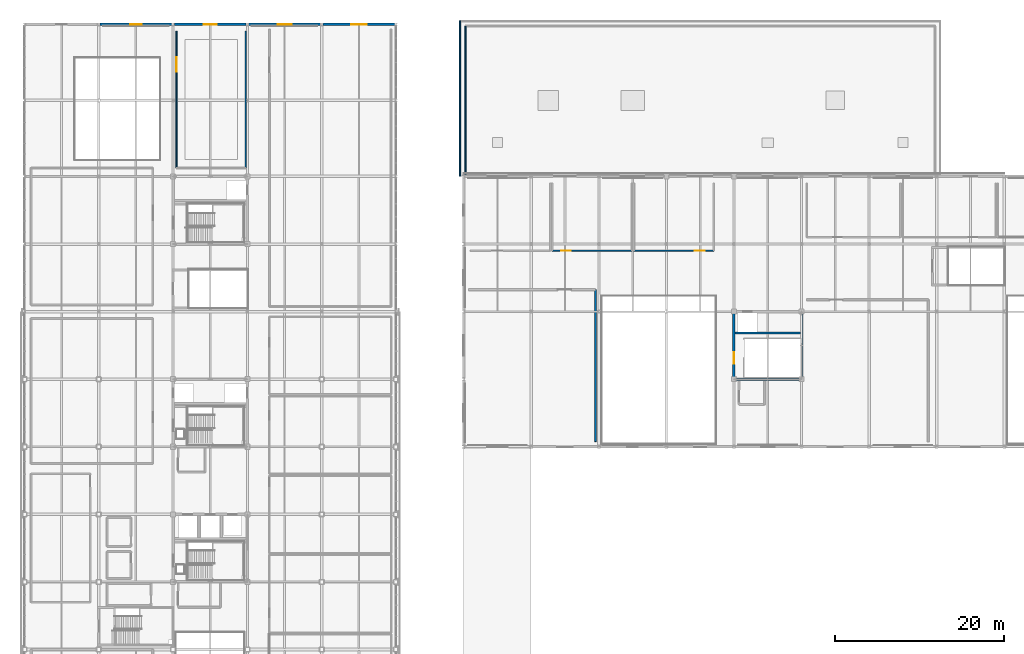
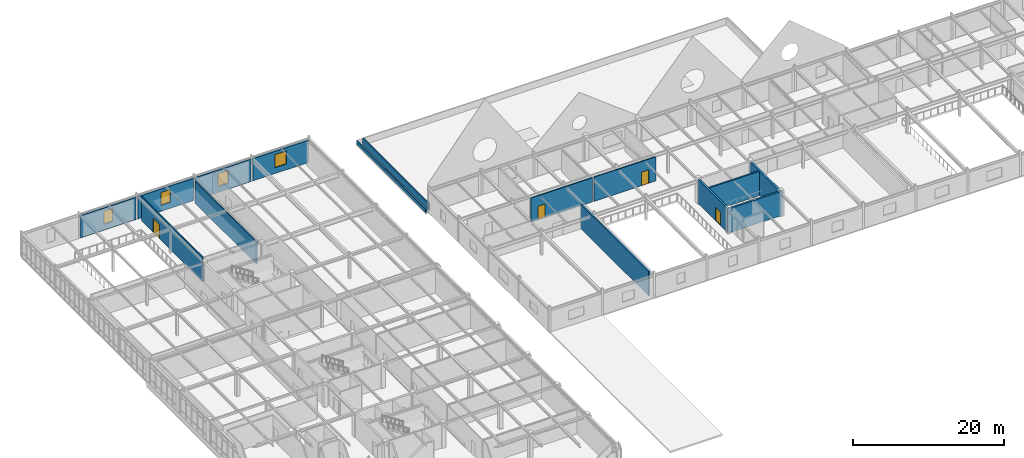
# One storey, part 79 of 88: 15 walls, 4 doors, 4 windows, 8 openings.
"""IFC4 building model written with IfcOpenShell, lengths in metres."""

import ifcopenshell
import ifcopenshell.guid

model = None  # the IFC model being written
_history = None  # IfcOwnerHistory: only IFC2X3 demands one
_inside = {}  # id of a spatial element -> (the spatial element, [elements in it])
_under = {}  # id of a project, library or spatial element -> (it, [spatial elements below it])
_declared = {}  # id of a project -> (the project, [libraries it declares])
_typed = {}  # id of a type object -> (the type object, [elements of that type])
_made_of = {}  # id of a material, layer set ... -> (it, [elements and type objects made of it])


def new_model(schema):
    """Start an empty IFC model of exactly this schema.

    Asked for "IFC4X3", IfcOpenShell would pick the latest addendum, in which some entities
    have other attributes; the version numbers below select the first issue.
    IFC2X3 requires an IfcOwnerHistory on every rooted entity: one is made here for all.
    """
    global model, _history
    if schema == "IFC4X3":
        model = ifcopenshell.file(schema_version=(4, 3, 0, 0))
    else:
        model = ifcopenshell.file(schema=schema)
    _inside.clear()
    _under.clear()
    _declared.clear()
    _typed.clear()
    _made_of.clear()
    _history = None
    if model.schema == "IFC2X3":
        org = make("IfcOrganization", Name="unknown")
        user = make(
            "IfcPersonAndOrganization",
            ThePerson=make("IfcPerson", FamilyName="unknown"),
            TheOrganization=org,
        )
        app = make(
            "IfcApplication",
            ApplicationDeveloper=org,
            Version="unknown",
            ApplicationFullName="unknown",
            ApplicationIdentifier="unknown",
        )
        _history = make(
            "IfcOwnerHistory",
            OwningUser=user,
            OwningApplication=app,
            ChangeAction="ADDED",
            CreationDate=0,
        )
    return model


def make(cls, **values):
    """One entity of the class cls with the attributes given. An attribute that is None is left unset."""
    return model.create_entity(
        cls, **{name: value for name, value in values.items() if value is not None}
    )


def rooted(cls, **values):
    """An entity with a GlobalId (a new one), such as an element, a storey or a relation."""
    return make(cls, GlobalId=ifcopenshell.guid.new(), OwnerHistory=_history, **values)


def si_unit(unit_type, name, prefix=None):
    """IfcSIUnit, for example si_unit("LENGTHUNIT", "METRE", prefix="MILLI")."""
    return make("IfcSIUnit", UnitType=unit_type, Prefix=prefix, Name=name)


def assignment(units):
    """IfcUnitAssignment: the units of a project."""
    return None if units is None else make("IfcUnitAssignment", Units=units)


def point(xyz):
    """IfcCartesianPoint."""
    return None if xyz is None else make("IfcCartesianPoint", Coordinates=xyz)


def direction(xyz):
    """IfcDirection."""
    return None if xyz is None else make("IfcDirection", DirectionRatios=xyz)


def frame(location, z_axis=None, x_axis=None):
    """IfcAxis2Placement3D, a coordinate frame: its origin and axes. An axis left out is left unset."""
    return make(
        "IfcAxis2Placement3D",
        Location=point(location),
        Axis=direction(z_axis),
        RefDirection=direction(x_axis),
    )


def frame_2d(location, x_axis=None):
    """IfcAxis2Placement2D, a coordinate frame in the plane: its origin and x axis."""
    return make(
        "IfcAxis2Placement2D", Location=point(location), RefDirection=direction(x_axis)
    )


def origin():
    """The frame at (0, 0, 0) with its axes left unset."""
    return frame((0.0, 0.0, 0.0))


def place(relative_to, where):
    """IfcLocalPlacement: puts the frame where relative to a parent placement (None: the world)."""
    return make(
        "IfcLocalPlacement", PlacementRelTo=relative_to, RelativePlacement=where
    )


def context(
    kind, dimensions, precision=None, world=None, true_north=None, identifier=None
):
    """IfcGeometricRepresentationContext, for example the 3D "Model" context."""
    return make(
        "IfcGeometricRepresentationContext",
        ContextIdentifier=identifier,
        ContextType=kind,
        CoordinateSpaceDimension=dimensions,
        Precision=precision,
        WorldCoordinateSystem=world,
        TrueNorth=true_north,
    )


def subcontext(parent, identifier, kind, view, scale=None):
    """IfcGeometricRepresentationSubContext, for example "Body" below "Model"."""
    return make(
        "IfcGeometricRepresentationSubContext",
        ContextIdentifier=identifier,
        ContextType=kind,
        ParentContext=parent,
        TargetScale=scale,
        TargetView=view,
    )


def project(units=None, contexts=None):
    """IfcProject with its units and contexts."""
    return rooted(
        "IfcProject",
        Name="project",
        RepresentationContexts=contexts,
        UnitsInContext=assignment(units),
    )


def spatial(cls, under=None, at=None, **own):
    """A site, building, storey or space (cls), placed at a placement, below another one or the project."""
    s = rooted(cls, ObjectPlacement=at, **own)
    if under is not None:
        _under.setdefault(under.id(), (under, []))[1].append(s)
    return s


def profile(cls, at=None, kind="AREA", **sizes):
    """A parametric profile (cls). Its sizes go by their IFC names, for example OverallWidth=200.0."""
    return make(cls, ProfileType=kind, Position=at, **sizes)


def rectangle(**sizes):
    """IfcRectangleProfileDef."""
    return profile("IfcRectangleProfileDef", **sizes)


def extrude(swept, where, along, depth):
    """IfcExtrudedAreaSolid: the profile swept, set in the frame where, extruded along a direction by depth."""
    return make(
        "IfcExtrudedAreaSolid",
        SweptArea=swept,
        Position=where,
        ExtrudedDirection=direction(along),
        Depth=depth,
    )


def shape(context_of_items, identifier, shape_type, items):
    """IfcShapeRepresentation: the items that make up one representation, for example the "Body"."""
    return make(
        "IfcShapeRepresentation",
        ContextOfItems=context_of_items,
        RepresentationIdentifier=identifier,
        RepresentationType=shape_type,
        Items=items,
    )


def material(Name=None, Category=None):
    """IfcMaterial."""
    return make("IfcMaterial", Name=Name, Category=Category)


def layer(
    of_material, thickness, ventilated=None, Name=None, Category=None, Priority=None
):
    """IfcMaterialLayer: one layer of a wall or slab, of a material (None: an air gap)."""
    return make(
        "IfcMaterialLayer",
        Material=of_material,
        LayerThickness=thickness,
        IsVentilated=ventilated,
        Name=Name,
        Category=Category,
        Priority=Priority,
    )


def layer_set(layers, Name=None):
    """IfcMaterialLayerSet."""
    return make("IfcMaterialLayerSet", MaterialLayers=layers, LayerSetName=Name)


def made_of(thing, what):
    """Note that an element or type object is made of a material, layer set ...; save() writes the relation."""
    if what is not None:
        _made_of.setdefault(what.id(), (what, []))[1].append(thing)
    return thing


def type_object(cls, material=None, **own):
    """A type object (cls), such as IfcWallType, which elements share."""
    return made_of(rooted(cls, **own), material)


def element(
    cls,
    number,
    at=None,
    inside=None,
    cuts=None,
    type_object=None,
    material=None,
    context=None,
    identifier="Body",
    shape_type=None,
    held_by="IfcProductDefinitionShape",
    body=None,
    shapes=None,
    **own,
):
    """One element of the class cls, such as IfcWall. Its Tag is "e" and its number.

    at: its placement. inside: the storey or other place that contains it. cuts: it is an
    opening in that element (IfcRelVoidsElement). A single representation is given by context,
    identifier, shape_type and body (its items); several are given by shapes. held_by: the class
    of the entity that holds the representations. save() writes the other relations.
    """
    e = rooted(cls, Tag="e%d" % number, ObjectPlacement=at, **own)
    if body is not None:
        shapes = [shape(context, identifier, shape_type, body)]
    if shapes is not None:
        e.Representation = make(held_by, Representations=shapes)
    if inside is not None:
        _inside.setdefault(inside.id(), (inside, []))[1].append(e)
    if cuts is not None:
        rooted(
            "IfcRelVoidsElement", RelatingBuildingElement=cuts, RelatedOpeningElement=e
        )
    if type_object is not None:
        _typed.setdefault(type_object.id(), (type_object, []))[1].append(e)
    return made_of(e, material)


def fill(opening, filler):
    """IfcRelFillsElement: the door or window that sits in an opening."""
    return rooted(
        "IfcRelFillsElement",
        RelatingOpeningElement=opening,
        RelatedBuildingElement=filler,
    )


def aggregate(whole, parts):
    """IfcRelAggregates: a whole, such as a stair, and the parts it consists of."""
    return rooted("IfcRelAggregates", RelatingObject=whole, RelatedObjects=parts)


def save(model, path):
    """Write the relations noted so far, then the file.

    IfcRelAggregates (storeys below a building ...), IfcRelContainedInSpatialStructure (elements
    in a storey), IfcRelDefinesByType, IfcRelAssociatesMaterial and IfcRelDeclares: one each for
    every whole, place, type object, material and project.
    """
    for whole, parts in _under.values():
        aggregate(whole, parts)
    for where, things in _inside.values():
        rooted(
            "IfcRelContainedInSpatialStructure",
            RelatedElements=things,
            RelatingStructure=where,
        )
    for kind, things in _typed.values():
        rooted("IfcRelDefinesByType", RelatedObjects=things, RelatingType=kind)
    for what, things in _made_of.values():
        rooted("IfcRelAssociatesMaterial", RelatedObjects=things, RelatingMaterial=what)
    for by, libraries in _declared.values():
        rooted("IfcRelDeclares", RelatingContext=by, RelatedDefinitions=libraries)
    model.write(path)


model = new_model("IFC4")

# Units and contexts
model_context = context("Model", 3, precision=1e-05, world=origin(), true_north=direction((0.0, 1.0)))
body_context = subcontext(model_context, "Body", "Model", "MODEL_VIEW")
ifc_project = project(units=[si_unit("LENGTHUNIT", "METRE"), si_unit("AREAUNIT", "SQUARE_METRE"), si_unit("VOLUMEUNIT", "CUBIC_METRE"), si_unit("PLANEANGLEUNIT", "RADIAN"), si_unit("MASSUNIT", "GRAM", prefix="KILO")], contexts=[model_context])

# Site, building, storey
site_placement = place(None, origin())
site = spatial("IfcSite", under=ifc_project, at=site_placement, CompositionType="ELEMENT")
building_placement = place(site_placement, origin())
building = spatial("IfcBuilding", under=site, at=building_placement, Name="Zhaolan Boulevard Law Courts", CompositionType="ELEMENT")
storey_placement = place(building_placement, frame((0.0, 0.0, 16.199951171875)))
storey = spatial("IfcBuildingStorey", under=building, at=storey_placement, Name="L03", CompositionType="ELEMENT", Elevation=16.199951171875)

# Wall
ifc_material_1 = material(Name="Concrete C50", Category="concrete")
ifc_layer_1 = layer(ifc_material_1, 0.300048828125)
ifc_layer_set_1 = layer_set([ifc_layer_1])
wall_type_1 = type_object("IfcWallType", Name="CORE SHEAR WALL 300", PredefinedType="SHEAR", material=ifc_layer_set_1)
wall_1_placement = place(storey_placement, frame((83.85009765625, 70.0, 0.0), z_axis=(0.0, 0.0, 1.0), x_axis=(1.0, 0.0, 0.0)))
element("IfcWall", 1, at=wall_1_placement, inside=storey, type_object=wall_type_1, Name="Core Shear Wall CW-T1-L03S", PredefinedType="SHEAR", context=body_context, shape_type="SweptSolid", body=[
    extrude(rectangle(XDim=8.2998046875, YDim=0.300048828125, at=frame_2d((4.14990234375, 0.0))), origin(), (0.0, 0.0, 1.0), 3.920166015625),
])

# Wall, opening, door
wall_2_placement = place(storey_placement, frame((84.0, 70.14990234375, 0.0), z_axis=(0.0, 0.0, 1.0), x_axis=(0.0, 1.0, 0.0)))
wall_2 = element("IfcWall", 2, at=wall_2_placement, inside=storey, type_object=wall_type_1, Name="Core Shear Wall CW-T1-L03W", PredefinedType="SHEAR", context=body_context, shape_type="SweptSolid", body=[
    extrude(rectangle(XDim=7.7001953125, YDim=0.300048828125, at=frame_2d((3.85009765625, 0.0))), origin(), (0.0, 0.0, 1.0), 3.920166015625),
])
opening_1_placement = place(wall_2_placement, frame((1.64990234375, 0.0, 0.0)))
opening_1 = element("IfcOpeningElement", 3, at=opening_1_placement, cuts=wall_2, Name="Opening SD-L03-33", PredefinedType="OPENING", context=body_context, shape_type="SweptSolid", body=[
    extrude(rectangle(XDim=1.39990234375, YDim=2.199951171875, at=frame_2d((0.699951171875, 1.10009765625))), frame((0.0, 0.159912109375, 0.0), z_axis=(0.0, -1.0, 0.0), x_axis=(1.0, 0.0, 0.0)), (0.0, 0.0, 1.0), 0.320068359375),
])
ifc_material_2 = material(Name="Fire-rated steel acoustic door", Category="steel")
door_type_1 = type_object("IfcDoorType", Name="STAIR FIRE 1400X2200 L", OperationType="SINGLE_SWING_LEFT", PredefinedType="DOOR", material=ifc_material_2)
door_1_placement = place(opening_1_placement, origin())
door_1 = element("IfcDoor", 4, at=door_1_placement, inside=storey, type_object=door_type_1, Name="Smoke-Proof Stairwell Fire Door SD-L03-33", OperationType="SINGLE_SWING_LEFT", OverallHeight=2.199951171875, OverallWidth=1.39990234375, PredefinedType="DOOR", context=body_context, shape_type="SweptSolid", body=[
    extrude(rectangle(XDim=1.39990234375, YDim=2.199951171875, at=frame_2d((0.699951171875, 1.10009765625))), frame((0.0, 0.02490234375, 0.0), z_axis=(0.0, -1.0, 0.0), x_axis=(1.0, 0.0, 0.0)), (0.0, 0.0, 1.0), 0.050048828125),
])
fill(opening_1, door_1)

# Walls
wall_3_placement = place(storey_placement, frame((92.0, 70.14990234375, 0.0), z_axis=(0.0, 0.0, 1.0), x_axis=(0.0, 1.0, 0.0)))
element("IfcWall", 5, at=wall_3_placement, inside=storey, type_object=wall_type_1, Name="Core Shear Wall CW-T1-L03E", PredefinedType="SHEAR", context=body_context, shape_type="SweptSolid", body=[
    extrude(rectangle(XDim=7.7001953125, YDim=0.300048828125, at=frame_2d((3.85009765625, 0.0))), origin(), (0.0, 0.0, 1.0), 3.920166015625),
])
ifc_material_3 = material(Name="Concrete C40", Category="concrete")
ifc_layer_2 = layer(ifc_material_3, 0.159912109375)
ifc_layer_set_2 = layer_set([ifc_layer_2])
wall_type_2 = type_object("IfcWallType", Name="EXT WALL ARCH CLAD160", PredefinedType="SOLIDWALL", material=ifc_layer_set_2)
wall_4_placement = place(storey_placement, frame((51.580078125, 112.419921875, 0.0), z_axis=(0.0, 0.0, 1.0), x_axis=(0.0, -1.0, 0.0)))
element("IfcWall", 6, at=wall_4_placement, inside=storey, type_object=wall_type_2, Name="Custody Concrete Spandrel Band CBW-261", PredefinedType="SOLIDWALL", context=body_context, shape_type="SweptSolid", body=[
    extrude(rectangle(XDim=18.419921875, YDim=0.159912109375, at=frame_2d((9.2099609375, 0.0))), origin(), (0.0, 0.0, 1.0), 0.550048828125),
])

# Wall, opening, window
ifc_material_4 = material(Name="Concrete C40", Category="concrete")
ifc_layer_3 = layer(ifc_material_4, 0.300048828125)
ifc_layer_set_3 = layer_set([ifc_layer_3])
wall_type_3 = type_object("IfcWallType", Name="EXT WALL CONCRETE300", PredefinedType="SOLIDWALL", material=ifc_layer_set_3)
wall_5_placement = place(storey_placement, frame((17.4541015625, 112.0, 0.0), z_axis=(0.0, 0.0, 1.0), x_axis=(-1.0, 0.0, 0.0)))
wall_5 = element("IfcWall", 7, at=wall_5_placement, inside=storey, type_object=wall_type_3, Name="Exterior Wall EW-L03-356", PredefinedType="SOLIDWALL", context=body_context, shape_type="SweptSolid", body=[
    extrude(rectangle(XDim=8.508056640625, YDim=0.300048828125, at=frame_2d((4.25390625, 0.0))), origin(), (0.0, 0.0, 1.0), 3.60302734375),
])
opening_2_placement = place(wall_5_placement, frame((3.5791015625, 0.0, 0.949951171875)))
opening_2 = element("IfcOpeningElement", 8, at=opening_2_placement, cuts=wall_5, Name="Opening WIN-L03-209", PredefinedType="OPENING", context=body_context, shape_type="SweptSolid", body=[
    extrude(rectangle(XDim=1.35009765625, YDim=2.10009765625, at=frame_2d((0.675048828125, 1.050048828125))), frame((0.0, 0.159912109375, 0.0), z_axis=(0.0, -1.0, 0.0), x_axis=(1.0, 0.0, 0.0)), (0.0, 0.0, 1.0), 0.320068359375),
])
ifc_material_5 = material(Name="Thermally broken aluminium and low-E glazing", Category="aluminium")
window_type_1 = type_object("IfcWindowType", Name="WINDOW 1350X2100", PartitioningType="SINGLE_PANEL", PredefinedType="WINDOW", material=ifc_material_5)
window_1_placement = place(opening_2_placement, origin())
window_1 = element("IfcWindow", 9, at=window_1_placement, inside=storey, type_object=window_type_1, Name="Exterior Window WIN-L03-209", OverallHeight=2.10009765625, OverallWidth=1.35009765625, PartitioningType="SINGLE_PANEL", PredefinedType="WINDOW", context=body_context, shape_type="SweptSolid", body=[
    extrude(rectangle(XDim=1.35009765625, YDim=2.10009765625, at=frame_2d((0.675048828125, 1.050048828125))), frame((0.0, 0.030029296875, 0.0), z_axis=(0.0, -1.0, 0.0), x_axis=(1.0, 0.0, 0.0)), (0.0, 0.0, 1.0), 0.06005859375),
])
fill(opening_2, window_1)

wall_6_placement = place(storey_placement, frame((26.25390625, 112.0, 0.0), z_axis=(0.0, 0.0, 1.0), x_axis=(-1.0, 0.0, 0.0)))
wall_6 = element("IfcWall", 10, at=wall_6_placement, inside=storey, type_object=wall_type_3, Name="Exterior Wall EW-L03-357", PredefinedType="SOLIDWALL", context=body_context, shape_type="SweptSolid", body=[
    extrude(rectangle(XDim=8.5078125, YDim=0.300048828125, at=frame_2d((4.25390625, 0.0))), origin(), (0.0, 0.0, 1.0), 3.60302734375),
])
opening_3_placement = place(wall_6_placement, frame((3.50390625, 0.0, 0.949951171875)))
opening_3 = element("IfcOpeningElement", 11, at=opening_3_placement, cuts=wall_6, Name="Opening WIN-L03-210", PredefinedType="OPENING", context=body_context, shape_type="SweptSolid", body=[
    extrude(rectangle(XDim=1.5, YDim=2.10009765625, at=frame_2d((0.75, 1.050048828125))), frame((0.0, 0.159912109375, 0.0), z_axis=(0.0, -1.0, 0.0), x_axis=(1.0, 0.0, 0.0)), (0.0, 0.0, 1.0), 0.320068359375),
])
ifc_material_6 = material(Name="Thermally broken aluminium and low-E glazing", Category="aluminium")
window_type_2 = type_object("IfcWindowType", Name="WINDOW 1500X2100", PartitioningType="SINGLE_PANEL", PredefinedType="WINDOW", material=ifc_material_6)
window_2_placement = place(opening_3_placement, origin())
window_2 = element("IfcWindow", 12, at=window_2_placement, inside=storey, type_object=window_type_2, Name="Exterior Window WIN-L03-210", OverallHeight=2.10009765625, OverallWidth=1.5, PartitioningType="SINGLE_PANEL", PredefinedType="WINDOW", context=body_context, shape_type="SweptSolid", body=[
    extrude(rectangle(XDim=1.5, YDim=2.10009765625, at=frame_2d((0.75, 1.050048828125))), frame((0.0, 0.030029296875, 0.0), z_axis=(0.0, -1.0, 0.0), x_axis=(1.0, 0.0, 0.0)), (0.0, 0.0, 1.0), 0.06005859375),
])
fill(opening_3, window_2)

wall_7_placement = place(storey_placement, frame((35.053955078125, 112.0, 0.0), z_axis=(0.0, 0.0, 1.0), x_axis=(-1.0, 0.0, 0.0)))
wall_7 = element("IfcWall", 13, at=wall_7_placement, inside=storey, type_object=wall_type_3, Name="Exterior Wall EW-L03-358", PredefinedType="SOLIDWALL", context=body_context, shape_type="SweptSolid", body=[
    extrude(rectangle(XDim=8.508056640625, YDim=0.300048828125, at=frame_2d((4.25390625, 0.0))), origin(), (0.0, 0.0, 1.0), 3.60302734375),
])
opening_4_placement = place(wall_7_placement, frame((3.428955078125, 0.0, 0.949951171875)))
opening_4 = element("IfcOpeningElement", 14, at=opening_4_placement, cuts=wall_7, Name="Opening WIN-L03-211", PredefinedType="OPENING", context=body_context, shape_type="SweptSolid", body=[
    extrude(rectangle(XDim=1.64990234375, YDim=2.10009765625, at=frame_2d((0.824951171875, 1.050048828125))), frame((0.0, 0.159912109375, 0.0), z_axis=(0.0, -1.0, 0.0), x_axis=(1.0, 0.0, 0.0)), (0.0, 0.0, 1.0), 0.320068359375),
])
ifc_material_7 = material(Name="Thermally broken aluminium and low-E glazing", Category="aluminium")
window_type_3 = type_object("IfcWindowType", Name="WINDOW 1650X2100", PartitioningType="SINGLE_PANEL", PredefinedType="WINDOW", material=ifc_material_7)
window_3_placement = place(opening_4_placement, origin())
window_3 = element("IfcWindow", 15, at=window_3_placement, inside=storey, type_object=window_type_3, Name="Exterior Window WIN-L03-211", OverallHeight=2.10009765625, OverallWidth=1.64990234375, PartitioningType="SINGLE_PANEL", PredefinedType="WINDOW", context=body_context, shape_type="SweptSolid", body=[
    extrude(rectangle(XDim=1.64990234375, YDim=2.10009765625, at=frame_2d((0.824951171875, 1.050048828125))), frame((0.0, 0.030029296875, 0.0), z_axis=(0.0, -1.0, 0.0), x_axis=(1.0, 0.0, 0.0)), (0.0, 0.0, 1.0), 0.06005859375),
])
fill(opening_4, window_3)

wall_8_placement = place(storey_placement, frame((43.85400390625, 112.0, 0.0), z_axis=(0.0, 0.0, 1.0), x_axis=(-1.0, 0.0, 0.0)))
wall_8 = element("IfcWall", 16, at=wall_8_placement, inside=storey, type_object=wall_type_3, Name="Exterior Wall EW-L03-359", PredefinedType="SOLIDWALL", context=body_context, shape_type="SweptSolid", body=[
    extrude(rectangle(XDim=8.508056640625, YDim=0.300048828125, at=frame_2d((4.25390625, 0.0))), origin(), (0.0, 0.0, 1.0), 3.60302734375),
])
opening_5_placement = place(wall_8_placement, frame((3.35400390625, 0.0, 0.949951171875)))
opening_5 = element("IfcOpeningElement", 17, at=opening_5_placement, cuts=wall_8, Name="Opening WIN-L03-212", PredefinedType="OPENING", context=body_context, shape_type="SweptSolid", body=[
    extrude(rectangle(XDim=1.800048828125, YDim=2.10009765625, at=frame_2d((0.89990234375, 1.050048828125))), frame((0.0, 0.159912109375, 0.0), z_axis=(0.0, -1.0, 0.0), x_axis=(1.0, 0.0, 0.0)), (0.0, 0.0, 1.0), 0.320068359375),
])
ifc_material_8 = material(Name="Thermally broken aluminium and low-E glazing", Category="aluminium")
window_type_4 = type_object("IfcWindowType", Name="WINDOW 1800X2100", PartitioningType="DOUBLE_PANEL_VERTICAL", PredefinedType="WINDOW", material=ifc_material_8)
window_4_placement = place(opening_5_placement, origin())
window_4 = element("IfcWindow", 18, at=window_4_placement, inside=storey, type_object=window_type_4, Name="Exterior Window WIN-L03-212", OverallHeight=2.10009765625, OverallWidth=1.800048828125, PartitioningType="SINGLE_PANEL", PredefinedType="WINDOW", context=body_context, shape_type="SweptSolid", body=[
    extrude(rectangle(XDim=1.800048828125, YDim=2.10009765625, at=frame_2d((0.89990234375, 1.050048828125))), frame((0.0, 0.030029296875, 0.0), z_axis=(0.0, -1.0, 0.0), x_axis=(1.0, 0.0, 0.0)), (0.0, 0.0, 1.0), 0.06005859375),
])
fill(opening_5, window_4)

# Walls
ifc_material_9 = material(Name="Concrete C50", Category="concrete")
ifc_layer_4 = layer(ifc_material_9, 0.239990234375)
ifc_layer_set_4 = layer_set([ifc_layer_4])
wall_type_4 = type_object("IfcWallType", Name="LIFT SHAFT WALL 240", PredefinedType="SHEAR", material=ifc_layer_set_4)
wall_9_placement = place(storey_placement, frame((84.14990234375, 75.455078125, 0.0), z_axis=(0.0, 0.0, 1.0), x_axis=(1.0, 0.0, 0.0)))
element("IfcWall", 19, at=wall_9_placement, inside=storey, type_object=wall_type_4, Name="Lift Shaft Enclosure Wall T1 (L03)", PredefinedType="SHEAR", context=body_context, shape_type="SweptSolid", body=[
    extrude(rectangle(XDim=7.7001953125, YDim=0.239990234375, at=frame_2d((3.85009765625, 0.0))), origin(), (0.0, 0.0, 1.0), 3.920166015625),
])
ifc_material_10 = material(Name="Concrete C40", Category="concrete")
ifc_layer_5 = layer(ifc_material_10, 0.179931640625)
ifc_layer_set_5 = layer_set([ifc_layer_5])
wall_type_5 = type_object("IfcWallType", Name="PARAPET CONCRETE180", PredefinedType="PARAPET", material=ifc_layer_set_5)
wall_10_placement = place(storey_placement, frame((52.199951171875, 94.199951171875, 0.0), z_axis=(0.0, 0.0, 1.0), x_axis=(0.0, 1.0, 0.0)))
element("IfcWall", 20, at=wall_10_placement, inside=storey, type_object=wall_type_5, Name="Roof Parapet PAR-V6-W", PredefinedType="PARAPET", context=body_context, shape_type="SweptSolid", body=[
    extrude(rectangle(XDim=17.60009765625, YDim=0.179931640625, at=frame_2d((8.800048828125, 0.0))), origin(), (0.0, 0.0, 1.0), 1.10009765625),
])

# Wall, opening, door
ifc_material_11 = material(Name="Fire-rated gypsum stud partition")
ifc_layer_6 = layer(ifc_material_11, 0.159912109375)
ifc_layer_set_6 = layer_set([ifc_layer_6])
wall_type_6 = type_object("IfcWallType", Name="PART WALL CHAMB160", PredefinedType="PARTITIONING", material=ifc_layer_set_6)
wall_11_placement = place(storey_placement, frame((62.472900390625, 85.199951171875, 0.0), z_axis=(0.0, 0.0, 1.0), x_axis=(1.0, 0.0, 0.0)))
wall_11 = element("IfcWall", 21, at=wall_11_placement, inside=storey, type_object=wall_type_6, Name="Interior Partition PW-L03-527", PredefinedType="PARTITIONING", context=body_context, shape_type="SweptSolid", body=[
    extrude(rectangle(XDim=9.4541015625, YDim=0.159912109375, at=frame_2d((4.72705078125, 0.0))), origin(), (0.0, 0.0, 1.0), 3.920166015625),
])
opening_6_placement = place(wall_11_placement, frame((1.072998046875, 0.0, 0.0)))
opening_6 = element("IfcOpeningElement", 22, at=opening_6_placement, cuts=wall_11, Name="Opening JR-L03-166", PredefinedType="OPENING", context=body_context, shape_type="SweptSolid", body=[
    extrude(rectangle(XDim=1.1201171875, YDim=2.199951171875, at=frame_2d((0.56005859375, 1.10009765625))), frame((0.0, 0.08984375, 0.0), z_axis=(0.0, -1.0, 0.0), x_axis=(1.0, 0.0, 0.0)), (0.0, 0.0, 1.0), 0.179931640625),
])
ifc_material_12 = material(Name="Solid-core acoustic oak veneer door")
door_type_2 = type_object("IfcDoorType", Name="JURY DOOR 1120X2200 R", OperationType="SINGLE_SWING_RIGHT", PredefinedType="DOOR", material=ifc_material_12)
door_2_placement = place(opening_6_placement, origin())
door_2 = element("IfcDoor", 23, at=door_2_placement, inside=storey, type_object=door_type_2, Name="Door JR-L03-166 (Jury Room L03-02)", OperationType="SINGLE_SWING_RIGHT", OverallHeight=2.199951171875, OverallWidth=1.1201171875, PredefinedType="DOOR", context=body_context, shape_type="SweptSolid", body=[
    extrude(rectangle(XDim=1.1201171875, YDim=2.199951171875, at=frame_2d((0.56005859375, 1.10009765625))), frame((0.0, 0.02490234375, 0.0), z_axis=(0.0, -1.0, 0.0), x_axis=(1.0, 0.0, 0.0)), (0.0, 0.0, 1.0), 0.050048828125),
])
fill(opening_6, door_2)

wall_12_placement = place(storey_placement, frame((72.14697265625, 85.199951171875, 0.0), z_axis=(0.0, 0.0, 1.0), x_axis=(1.0, 0.0, 0.0)))
wall_12 = element("IfcWall", 24, at=wall_12_placement, inside=storey, type_object=wall_type_6, Name="Interior Partition PW-L03-530", PredefinedType="PARTITIONING", context=body_context, shape_type="SweptSolid", body=[
    extrude(rectangle(XDim=9.453125, YDim=0.159912109375, at=frame_2d((4.7265625, 0.0))), origin(), (0.0, 0.0, 1.0), 3.920166015625),
])
opening_7_placement = place(wall_12_placement, frame((7.23291015625, 0.0, 0.0)))
opening_7 = element("IfcOpeningElement", 25, at=opening_7_placement, cuts=wall_12, Name="Opening JR-L03-167", PredefinedType="OPENING", context=body_context, shape_type="SweptSolid", body=[
    extrude(rectangle(XDim=1.14990234375, YDim=2.199951171875, at=frame_2d((0.574951171875, 1.10009765625))), frame((0.0, 0.08984375, 0.0), z_axis=(0.0, -1.0, 0.0), x_axis=(1.0, 0.0, 0.0)), (0.0, 0.0, 1.0), 0.179931640625),
])
ifc_material_13 = material(Name="Solid-core acoustic oak veneer door")
door_type_3 = type_object("IfcDoorType", Name="JURY DOOR 1150X2200 L", OperationType="SINGLE_SWING_LEFT", PredefinedType="DOOR", material=ifc_material_13)
door_3_placement = place(opening_7_placement, origin())
door_3 = element("IfcDoor", 26, at=door_3_placement, inside=storey, type_object=door_type_3, Name="Door JR-L03-167 (Jury Room L03-03)", OperationType="SINGLE_SWING_LEFT", OverallHeight=2.199951171875, OverallWidth=1.14990234375, PredefinedType="DOOR", context=body_context, shape_type="SweptSolid", body=[
    extrude(rectangle(XDim=1.14990234375, YDim=2.199951171875, at=frame_2d((0.574951171875, 1.10009765625))), frame((0.0, 0.02490234375, 0.0), z_axis=(0.0, -1.0, 0.0), x_axis=(1.0, 0.0, 0.0)), (0.0, 0.0, 1.0), 0.050048828125),
])
fill(opening_7, door_3)

wall_13_placement = place(storey_placement, frame((18.0, 111.199951171875, 0.0), z_axis=(0.0, 0.0, 1.0), x_axis=(0.0, -1.0, 0.0)))
wall_13 = element("IfcWall", 27, at=wall_13_placement, inside=storey, type_object=wall_type_6, Name="Interior Partition PW-L03-787", PredefinedType="PARTITIONING", context=body_context, shape_type="SweptSolid", body=[
    extrude(rectangle(XDim=16.199951171875, YDim=0.159912109375, at=frame_2d((8.10009765625, 0.0))), origin(), (0.0, 0.0, 1.0), 3.920166015625),
])
opening_8_placement = place(wall_13_placement, frame((3.080078125, 0.0, 0.0)))
opening_8 = element("IfcOpeningElement", 28, at=opening_8_placement, cuts=wall_13, Name="Opening ID-L03-248", PredefinedType="OPENING", context=body_context, shape_type="SweptSolid", body=[
    extrude(rectangle(XDim=1.699951171875, YDim=2.300048828125, at=frame_2d((0.85009765625, 1.14990234375))), frame((0.0, 0.08984375, 0.0), z_axis=(0.0, -1.0, 0.0), x_axis=(1.0, 0.0, 0.0)), (0.0, 0.0, 1.0), 0.179931640625),
])
ifc_material_14 = material(Name="Solid-core acoustic oak veneer door")
door_type_4 = type_object("IfcDoorType", Name="LIB DOUBLE 1700X2300", OperationType="DOUBLE_DOOR_SINGLE_SWING", PredefinedType="DOOR", material=ifc_material_14)
door_4_placement = place(opening_8_placement, origin())
door_4 = element("IfcDoor", 29, at=door_4_placement, inside=storey, type_object=door_type_4, Name="Door ID-L03-248 (Law Library Judicial Study Room L03)", OperationType="DOUBLE_DOOR_SINGLE_SWING", OverallHeight=2.300048828125, OverallWidth=1.699951171875, PredefinedType="DOOR", context=body_context, shape_type="SweptSolid", body=[
    extrude(rectangle(XDim=1.699951171875, YDim=2.300048828125, at=frame_2d((0.85009765625, 1.14990234375))), frame((0.0, 0.02490234375, 0.0), z_axis=(0.0, -1.0, 0.0), x_axis=(1.0, 0.0, 0.0)), (0.0, 0.0, 1.0), 0.050048828125),
])
fill(opening_8, door_4)

# Walls
wall_14_placement = place(storey_placement, frame((26.199951171875, 95.0, 0.0), z_axis=(0.0, 0.0, 1.0), x_axis=(0.0, 1.0, 0.0)))
element("IfcWall", 30, at=wall_14_placement, inside=storey, type_object=wall_type_6, Name="Interior Partition PW-L03-788", PredefinedType="PARTITIONING", context=body_context, shape_type="SweptSolid", body=[
    extrude(rectangle(XDim=16.199951171875, YDim=0.159912109375, at=frame_2d((8.10009765625, 0.0))), origin(), (0.0, 0.0, 1.0), 3.566162109375),
])
ifc_material_15 = material(Name="Concrete C40", Category="concrete")
ifc_layer_7 = layer(ifc_material_15, 0.219970703125)
ifc_layer_set_7 = layer_set([ifc_layer_7])
wall_type_7 = type_object("IfcWallType", Name="PART WALL COURT220", PredefinedType="PARTITIONING", material=ifc_layer_set_7)
wall_15_placement = place(storey_placement, frame((67.60009765625, 62.60009765625, 0.0), z_axis=(0.0, 0.0, 1.0), x_axis=(0.0, 1.0, 0.0)))
element("IfcWall", 31, at=wall_15_placement, inside=storey, type_object=wall_type_7, Name="Interior Partition PW-L03-522", PredefinedType="PARTITIONING", context=body_context, shape_type="SweptSolid", body=[
    extrude(rectangle(XDim=18.0, YDim=0.219970703125, at=frame_2d((9.0, 0.0))), origin(), (0.0, 0.0, 1.0), 3.920166015625),
])

save(model, "model.ifc")
